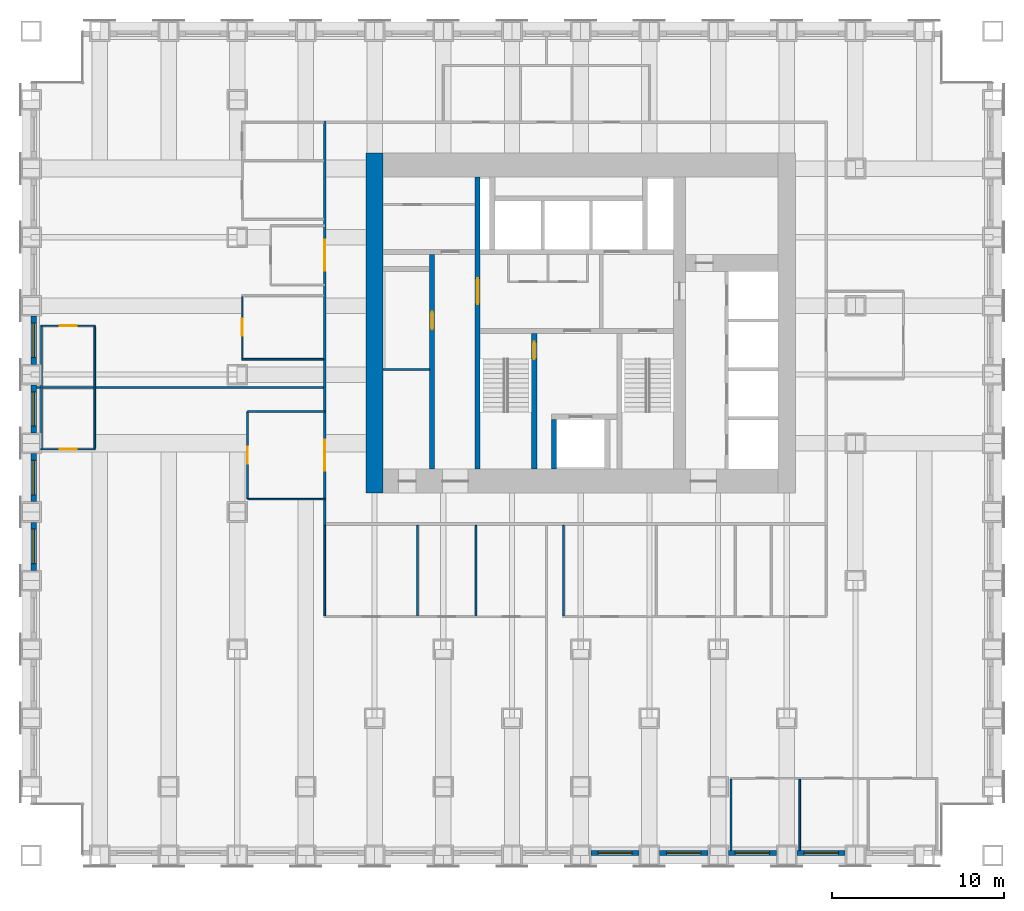
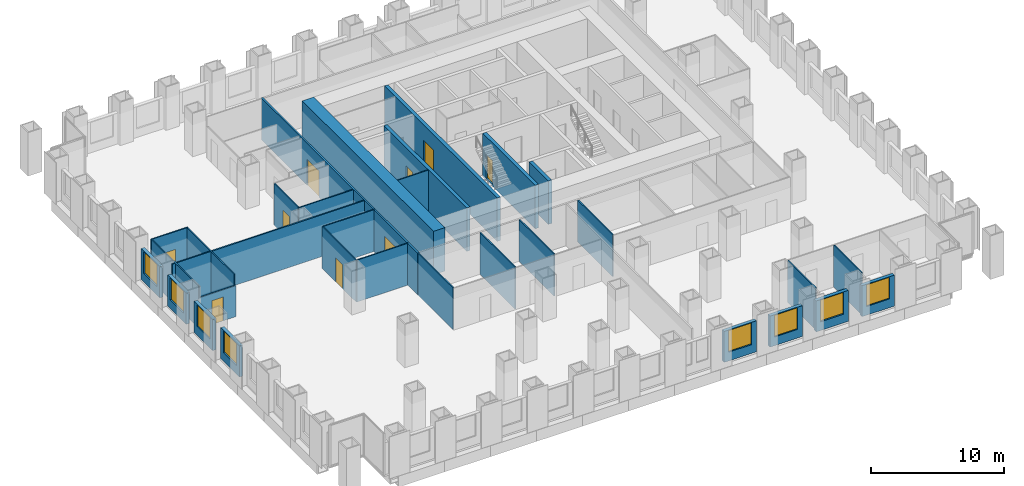
# One storey, part 9 of 15: 31 walls, 9 doors, 8 windows, 17 openings.
"""IFC4 building model written with IfcOpenShell, lengths in metres."""

from ifc_helpers import new_model, si_unit, direction, frame, frame_2d, origin, place, context, subcontext, project, spatial, rectangle, extrude, material, layer, layer_set, type_object, element, fill, save


model = new_model("IFC4")

# Units and contexts
model_context = context("Model", 3, precision=1e-05, world=origin(), true_north=direction((0.0, 1.0)))
body_context = subcontext(model_context, "Body", "Model", "MODEL_VIEW")
ifc_project = project(units=[si_unit("LENGTHUNIT", "METRE"), si_unit("AREAUNIT", "SQUARE_METRE"), si_unit("VOLUMEUNIT", "CUBIC_METRE"), si_unit("PLANEANGLEUNIT", "RADIAN"), si_unit("MASSUNIT", "GRAM", prefix="KILO")], contexts=[model_context])

# Site, building, storey
site_placement = place(None, origin())
site = spatial("IfcSite", under=ifc_project, at=site_placement, CompositionType="ELEMENT")
building_placement = place(site_placement, origin())
building = spatial("IfcBuilding", under=site, at=building_placement, Name="Rimbunsela Tower", CompositionType="ELEMENT")
storey_placement = place(building_placement, frame((0.0, 0.0, 35.0)))
storey = spatial("IfcBuildingStorey", under=building, at=storey_placement, Name="L08", CompositionType="ELEMENT", Elevation=35.0)

# Wall, opening, door
ifc_material_1 = material(Name="Concrete fc' 80 MPa", Category="concrete")
ifc_layer_1 = layer(ifc_material_1, 0.300048828125)
ifc_layer_set_1 = layer_set([ifc_layer_1], Name="Core internal wall 300")
wall_type_1 = type_object("IfcWallType", Name="Core internal wall 300", PredefinedType="SHEAR", material=ifc_layer_set_1)
wall_1_placement = place(storey_placement, frame((24.0, 18.5, -0.14990234375), z_axis=(0.0, 0.0, 1.0), x_axis=(0.0, 1.0, 0.0)))
wall_1 = element("IfcWall", 1, at=wall_1_placement, inside=storey, type_object=wall_type_1, Name="Core wall at stair A", PredefinedType="SHEAR", context=body_context, shape_type="SweptSolid", body=[
    extrude(rectangle(XDim=17.0, YDim=0.300048828125, at=frame_2d((8.5, 0.0))), origin(), (0.0, 0.0, 1.0), 4.0),
])
opening_1_placement = place(wall_1_placement, frame((9.60009765625, 0.0, 0.14990234375)))
opening_1 = element("IfcOpeningElement", 2, at=opening_1_placement, cuts=wall_1, Name="Opening D03", PredefinedType="OPENING", context=body_context, shape_type="SweptSolid", body=[
    extrude(rectangle(XDim=1.5, YDim=2.39990234375, at=frame_2d((0.75, 1.199951171875))), frame((0.0, 0.159912109375, 0.0), z_axis=(0.0, -1.0, 0.0), x_axis=(1.0, 0.0, 0.0)), (0.0, 0.0, 1.0), 0.320068359375),
])
ifc_material_2 = material(Name="Steel door, fire rated", Category="steel")
door_type_1 = type_object("IfcDoorType", Name="Core lobby door 1500", OperationType="DOUBLE_DOOR_DOUBLE_SWING", PredefinedType="DOOR", material=ifc_material_2)
door_1_placement = place(opening_1_placement, origin())
door_1 = element("IfcDoor", 3, at=door_1_placement, inside=storey, type_object=door_type_1, Name="West lobby door", OperationType="DOUBLE_DOOR_DOUBLE_SWING", OverallHeight=2.39990234375, OverallWidth=1.5, PredefinedType="DOOR", context=body_context, shape_type="SweptSolid", body=[
    extrude(rectangle(XDim=1.5, YDim=2.39990234375, at=frame_2d((0.75, 1.199951171875))), frame((0.0, 0.02490234375, 0.0), z_axis=(0.0, -1.0, 0.0), x_axis=(1.0, 0.0, 0.0)), (0.0, 0.0, 1.0), 0.050048828125),
])
fill(opening_1, door_1)

wall_2_placement = place(storey_placement, frame((27.300048828125, 18.5, -0.14990234375), z_axis=(0.0, 0.0, 1.0), x_axis=(0.0, 1.0, 0.0)))
wall_2 = element("IfcWall", 4, at=wall_2_placement, inside=storey, type_object=wall_type_1, Name="Stair A enclosure", PredefinedType="SHEAR", context=body_context, shape_type="SweptSolid", body=[
    extrude(rectangle(XDim=7.89990234375, YDim=0.300048828125, at=frame_2d((3.949951171875, 0.0))), origin(), (0.0, 0.0, 1.0), 4.0),
])
opening_2_placement = place(wall_2_placement, frame((6.39990234375, 0.0, 0.14990234375)))
opening_2 = element("IfcOpeningElement", 5, at=opening_2_placement, cuts=wall_2, Name="Opening D01", PredefinedType="OPENING", context=body_context, shape_type="SweptSolid", body=[
    extrude(rectangle(XDim=1.0, YDim=2.199951171875, at=frame_2d((0.5, 1.10009765625))), frame((0.0, 0.159912109375, 0.0), z_axis=(0.0, -1.0, 0.0), x_axis=(1.0, 0.0, 0.0)), (0.0, 0.0, 1.0), 0.320068359375),
])
ifc_material_3 = material(Name="Steel door, fire rated", Category="steel")
door_type_2 = type_object("IfcDoorType", Name="Stair door 1000", OperationType="SINGLE_SWING_RIGHT", PredefinedType="DOOR", material=ifc_material_3)
door_2_placement = place(opening_2_placement, origin())
door_2 = element("IfcDoor", 6, at=door_2_placement, inside=storey, type_object=door_type_2, Name="Stair A door", OperationType="SINGLE_SWING_RIGHT", OverallHeight=2.199951171875, OverallWidth=1.0, PredefinedType="DOOR", context=body_context, shape_type="SweptSolid", body=[
    extrude(rectangle(XDim=1.0, YDim=2.199951171875, at=frame_2d((0.5, 1.10009765625))), frame((0.0, 0.02490234375, 0.0), z_axis=(0.0, -1.0, 0.0), x_axis=(1.0, 0.0, 0.0)), (0.0, 0.0, 1.0), 0.050048828125),
])
fill(opening_2, door_2)

# Wall
wall_3_placement = place(storey_placement, frame((28.449951171875, 18.5, -0.14990234375), z_axis=(0.0, 0.0, 1.0), x_axis=(0.0, 1.0, 0.0)))
element("IfcWall", 7, at=wall_3_placement, inside=storey, type_object=wall_type_1, Name="Firefighting lift shaft west", PredefinedType="SHEAR", context=body_context, shape_type="SweptSolid", body=[
    extrude(rectangle(XDim=2.89990234375, YDim=0.300048828125, at=frame_2d((1.449951171875, 0.0))), origin(), (0.0, 0.0, 1.0), 4.0),
])

# Wall, opening, door
wall_4_placement = place(storey_placement, frame((21.35009765625, 18.5, -0.14990234375), z_axis=(0.0, 0.0, 1.0), x_axis=(0.0, 1.0, 0.0)))
wall_4 = element("IfcWall", 8, at=wall_4_placement, inside=storey, type_object=wall_type_1, Name="Lift shaft front west", PredefinedType="SHEAR", context=body_context, shape_type="SweptSolid", body=[
    extrude(rectangle(XDim=12.5, YDim=0.300048828125, at=frame_2d((6.25, 0.0))), origin(), (0.0, 0.0, 1.0), 4.0),
])
opening_3_placement = place(wall_4_placement, frame((8.14990234375, 0.0, 0.14990234375)))
opening_3 = element("IfcOpeningElement", 9, at=opening_3_placement, cuts=wall_4, Name="Opening D19", PredefinedType="OPENING", context=body_context, shape_type="SweptSolid", body=[
    extrude(rectangle(XDim=1.0, YDim=2.199951171875, at=frame_2d((0.5, 1.10009765625))), frame((0.0, 0.159912109375, 0.0), z_axis=(0.0, -1.0, 0.0), x_axis=(1.0, 0.0, 0.0)), (0.0, 0.0, 1.0), 0.320068359375),
])
ifc_material_4 = material(Name="Steel door, fire rated", Category="steel")
door_type_3 = type_object("IfcDoorType", Name="Service door 1000 fire rated", OperationType="SINGLE_SWING_LEFT", PredefinedType="DOOR", material=ifc_material_4)
door_3_placement = place(opening_3_placement, origin())
door_3 = element("IfcDoor", 10, at=door_3_placement, inside=storey, type_object=door_type_3, Name="IT room door", OperationType="SINGLE_SWING_LEFT", OverallHeight=2.199951171875, OverallWidth=1.0, PredefinedType="DOOR", context=body_context, shape_type="SweptSolid", body=[
    extrude(rectangle(XDim=1.0, YDim=2.199951171875, at=frame_2d((0.5, 1.10009765625))), frame((0.0, 0.02490234375, 0.0), z_axis=(0.0, -1.0, 0.0), x_axis=(1.0, 0.0, 0.0)), (0.0, 0.0, 1.0), 0.050048828125),
])
fill(opening_3, door_3)

# Walls
ifc_material_5 = material(Name="Concrete blockwork", Category="masonry")
ifc_layer_2 = layer(ifc_material_5, 0.10009765625)
ifc_layer_set_2 = layer_set([ifc_layer_2], Name="Core room partition 100")
wall_type_2 = type_object("IfcWallType", Name="Core room partition 100", PredefinedType="PARTITIONING", material=ifc_layer_set_2)
wall_5_placement = place(storey_placement, frame((18.5, 24.300048828125, 0.0), z_axis=(0.0, 0.0, 1.0), x_axis=(1.0, 0.0, 0.0)))
element("IfcWall", 11, at=wall_5_placement, inside=storey, type_object=wall_type_2, Name="IT room wall", PredefinedType="PARTITIONING", context=body_context, shape_type="SweptSolid", body=[
    extrude(rectangle(XDim=2.699951171875, YDim=0.10009765625, at=frame_2d((1.35009765625, 0.0))), origin(), (0.0, 0.0, 1.0), 3.85009765625),
])
ifc_material_6 = material(Name="Concrete fc' 80 MPa", Category="concrete")
ifc_layer_3 = layer(ifc_material_6, 1.0)
ifc_layer_set_3 = layer_set([ifc_layer_3], Name="Core wall 1000")
wall_type_3 = type_object("IfcWallType", Name="Core wall 1000", PredefinedType="SHEAR", material=ifc_layer_set_3)
wall_6_placement = place(storey_placement, frame((18.0, 17.10009765625, -0.14990234375), z_axis=(0.0, 0.0, 1.0), x_axis=(0.0, 1.0, 0.0)))
element("IfcWall", 12, at=wall_6_placement, inside=storey, type_object=wall_type_3, Name="Core wall west", PredefinedType="SHEAR", context=body_context, shape_type="SweptSolid", body=[
    extrude(rectangle(XDim=19.7998046875, YDim=1.0, at=frame_2d((9.89990234375, 0.0))), origin(), (0.0, 0.0, 1.0), 4.0),
])

# Wall, opening, door
ifc_material_7 = material(Name="Gypsum board on steel studs", Category="steel")
ifc_layer_4 = layer(ifc_material_7, 0.10009765625)
ifc_layer_set_4 = layer_set([ifc_layer_4], Name="Office partition 100")
wall_type_4 = type_object("IfcWallType", Name="Office partition 100", PredefinedType="PARTITIONING", material=ifc_layer_set_4)
wall_7_placement = place(storey_placement, frame((-1.449951171875, 19.64990234375, 0.0), z_axis=(0.0, 0.0, 1.0), x_axis=(1.0, 0.0, 0.0)))
wall_7 = element("IfcWall", 13, at=wall_7_placement, inside=storey, type_object=wall_type_4, Name="Office partition", PredefinedType="PARTITIONING", context=body_context, shape_type="SweptSolid", body=[
    extrude(rectangle(XDim=3.199951171875, YDim=0.10009765625, at=frame_2d((1.60009765625, 0.0))), origin(), (0.0, 0.0, 1.0), 2.85009765625),
])
opening_4_placement = place(wall_7_placement, frame((1.10009765625, 0.0, 0.0)))
opening_4 = element("IfcOpeningElement", 14, at=opening_4_placement, cuts=wall_7, Name="Opening D16", PredefinedType="OPENING", context=body_context, shape_type="SweptSolid", body=[
    extrude(rectangle(XDim=1.0, YDim=2.199951171875, at=frame_2d((0.5, 1.10009765625))), frame((0.0, 0.06005859375, 0.0), z_axis=(0.0, -1.0, 0.0), x_axis=(1.0, 0.0, 0.0)), (0.0, 0.0, 1.0), 0.1201171875),
])
ifc_material_8 = material(Name="Timber door", Category="wood")
door_type_4 = type_object("IfcDoorType", Name="Office door 1000", OperationType="SINGLE_SWING_LEFT", PredefinedType="DOOR", material=ifc_material_8)
door_4_placement = place(opening_4_placement, origin())
door_4 = element("IfcDoor", 15, at=door_4_placement, inside=storey, type_object=door_type_4, Name="Office door", OperationType="SINGLE_SWING_LEFT", OverallHeight=2.199951171875, OverallWidth=1.0, PredefinedType="DOOR", context=body_context, shape_type="SweptSolid", body=[
    extrude(rectangle(XDim=1.0, YDim=2.199951171875, at=frame_2d((0.5, 1.10009765625))), frame((0.0, 0.02490234375, 0.0), z_axis=(0.0, -1.0, 0.0), x_axis=(1.0, 0.0, 0.0)), (0.0, 0.0, 1.0), 0.050048828125),
])
fill(opening_4, door_4)

# Wall
wall_8_placement = place(storey_placement, frame((10.25, 24.89990234375, 0.0), z_axis=(0.0, 0.0, 1.0), x_axis=(1.0, 0.0, 0.0)))
element("IfcWall", 16, at=wall_8_placement, inside=storey, type_object=wall_type_4, Name="Office partition", PredefinedType="PARTITIONING", context=body_context, shape_type="SweptSolid", body=[
    extrude(rectangle(XDim=4.77490234375, YDim=0.10009765625, at=frame_2d((2.387451171875, 0.0))), origin(), (0.0, 0.0, 1.0), 3.85009765625),
])

# Wall, opening, door
wall_9_placement = place(storey_placement, frame((-1.449951171875, 26.85009765625, 0.0), z_axis=(0.0, 0.0, 1.0), x_axis=(1.0, 0.0, 0.0)))
wall_9 = element("IfcWall", 17, at=wall_9_placement, inside=storey, type_object=wall_type_4, Name="Office partition", PredefinedType="PARTITIONING", context=body_context, shape_type="SweptSolid", body=[
    extrude(rectangle(XDim=3.199951171875, YDim=0.10009765625, at=frame_2d((1.60009765625, 0.0))), origin(), (0.0, 0.0, 1.0), 3.85009765625),
])
opening_5_placement = place(wall_9_placement, frame((1.10009765625, 0.0, 0.0)))
opening_5 = element("IfcOpeningElement", 18, at=opening_5_placement, cuts=wall_9, Name="Opening D16", PredefinedType="OPENING", context=body_context, shape_type="SweptSolid", body=[
    extrude(rectangle(XDim=1.0, YDim=2.199951171875, at=frame_2d((0.5, 1.10009765625))), frame((0.0, 0.06005859375, 0.0), z_axis=(0.0, -1.0, 0.0), x_axis=(1.0, 0.0, 0.0)), (0.0, 0.0, 1.0), 0.1201171875),
])
door_5_placement = place(opening_5_placement, origin())
door_5 = element("IfcDoor", 19, at=door_5_placement, inside=storey, type_object=door_type_4, Name="Office door", OperationType="SINGLE_SWING_LEFT", OverallHeight=2.199951171875, OverallWidth=1.0, PredefinedType="DOOR", context=body_context, shape_type="SweptSolid", body=[
    extrude(rectangle(XDim=1.0, YDim=2.199951171875, at=frame_2d((0.5, 1.10009765625))), frame((0.0, 0.02490234375, 0.0), z_axis=(0.0, -1.0, 0.0), x_axis=(1.0, 0.0, 0.0)), (0.0, 0.0, 1.0), 0.050048828125),
])
fill(opening_5, door_5)

# Walls
for number, where, z_axis, x_axis, name in (
    (20, (-1.39990234375, 19.699951171875, 0.0), (0.0, 0.0, 1.0), (0.0, 1.0, 0.0), "Office partition"),
    (21, (1.699951171875, 19.699951171875, 0.0), (0.0, 0.0, 1.0), (0.0, 1.0, 0.0), "Office partition"),
):
    element("IfcWall", number, at=place(storey_placement, frame(where, z_axis=z_axis, x_axis=x_axis)), inside=storey, type_object=wall_type_4, Name=name, PredefinedType="PARTITIONING", context=body_context, shape_type="SweptSolid", body=[
        extrude(rectangle(XDim=7.10009765625, YDim=0.10009765625, at=frame_2d((3.550048828125, 0.0))), origin(), (0.0, 0.0, 1.0), 3.85009765625),
    ])

# Wall, opening, door
wall_10_placement = place(storey_placement, frame((10.300048828125, 24.949951171875, 0.0), z_axis=(0.0, 0.0, 1.0), x_axis=(0.0, 1.0, 0.0)))
wall_10 = element("IfcWall", 22, at=wall_10_placement, inside=storey, type_object=wall_type_4, Name="Office partition", PredefinedType="PARTITIONING", context=body_context, shape_type="SweptSolid", body=[
    extrude(rectangle(XDim=3.60009765625, YDim=0.10009765625, at=frame_2d((1.800048828125, 0.0))), origin(), (0.0, 0.0, 1.0), 3.85009765625),
])
opening_6_placement = place(wall_10_placement, frame((1.300048828125, 0.0, 0.0)))
opening_6 = element("IfcOpeningElement", 23, at=opening_6_placement, cuts=wall_10, Name="Opening D17", PredefinedType="OPENING", context=body_context, shape_type="SweptSolid", body=[
    extrude(rectangle(XDim=1.0, YDim=2.199951171875, at=frame_2d((0.5, 1.10009765625))), frame((0.0, 0.06005859375, 0.0), z_axis=(0.0, -1.0, 0.0), x_axis=(1.0, 0.0, 0.0)), (0.0, 0.0, 1.0), 0.1201171875),
])
ifc_material_9 = material(Name="Glazed aluminium door", Category="aluminium")
door_type_5 = type_object("IfcDoorType", Name="Meeting room door 1000 glazed", OperationType="SINGLE_SWING_RIGHT", PredefinedType="DOOR", material=ifc_material_9)
door_6_placement = place(opening_6_placement, origin())
door_6 = element("IfcDoor", 24, at=door_6_placement, inside=storey, type_object=door_type_5, Name="Meeting room door", OperationType="SINGLE_SWING_RIGHT", OverallHeight=2.199951171875, OverallWidth=1.0, PredefinedType="DOOR", context=body_context, shape_type="SweptSolid", body=[
    extrude(rectangle(XDim=1.0, YDim=2.199951171875, at=frame_2d((0.5, 1.10009765625))), frame((0.0, 0.02490234375, 0.0), z_axis=(0.0, -1.0, 0.0), x_axis=(1.0, 0.0, 0.0)), (0.0, 0.0, 1.0), 0.050048828125),
])
fill(opening_6, door_6)

# Walls
for number, where, z_axis, x_axis, name in (
    (25, (15.10009765625, 9.949951171875, 0.0), (0.0, 0.0, 1.0), (0.0, 1.0, 0.0), "Office partition"),
    (26, (20.5, 9.949951171875, 0.0), (0.0, 0.0, 1.0), (0.0, 1.0, 0.0), "Office partition"),
    (27, (23.89990234375, 9.949951171875, 0.0), (0.0, 0.0, 1.0), (0.0, 1.0, 0.0), "Office partition"),
    (28, (28.9990234375, 9.949951171875, 0.0), (0.0, 0.0, 1.0), (0.0, 1.0, 0.0), "Office partition"),
):
    element("IfcWall", number, at=place(storey_placement, frame(where, z_axis=z_axis, x_axis=x_axis)), inside=storey, type_object=wall_type_4, Name=name, PredefinedType="PARTITIONING", context=body_context, shape_type="SweptSolid", body=[
        extrude(rectangle(XDim=5.275146484375, YDim=0.10009765625, at=frame_2d((2.6376953125, 0.0))), origin(), (0.0, 0.0, 1.0), 3.85009765625),
    ])
for number, where, z_axis, x_axis, name in (
    (29, (38.75, -3.699951171875, 0.0), (0.0, 0.0, 1.0), (0.0, 1.0, 0.0), "Office partition"),
    (30, (42.75, -3.699951171875, 0.0), (0.0, 0.0, 1.0), (0.0, 1.0, 0.0), "Office partition"),
):
    element("IfcWall", number, at=place(storey_placement, frame(where, z_axis=z_axis, x_axis=x_axis)), inside=storey, type_object=wall_type_4, Name=name, PredefinedType="PARTITIONING", context=body_context, shape_type="SweptSolid", body=[
        extrude(rectangle(XDim=4.14990234375, YDim=0.10009765625, at=frame_2d((2.074951171875, 0.0))), origin(), (0.0, 0.0, 1.0), 3.85009765625),
    ])
wall_11_placement = place(storey_placement, frame((15.10009765625, 21.85009765625, 0.0), z_axis=(0.0, 0.0, 1.0), x_axis=(-1.0, 0.0, 0.0)))
element("IfcWall", 31, at=wall_11_placement, inside=storey, type_object=wall_type_4, Name="Office partition", PredefinedType="PARTITIONING", context=body_context, shape_type="SweptSolid", body=[
    extrude(rectangle(XDim=4.5, YDim=0.10009765625, at=frame_2d((2.25, 0.0))), origin(), (0.0, 0.0, 1.0), 3.85009765625),
])

# Wall, opening, door
wall_12_placement = place(storey_placement, frame((10.60009765625, 21.85009765625, 0.0), z_axis=(0.0, 0.0, 1.0), x_axis=(0.0, -1.0, 0.0)))
wall_12 = element("IfcWall", 32, at=wall_12_placement, inside=storey, type_object=wall_type_4, Name="Office partition", PredefinedType="PARTITIONING", context=body_context, shape_type="SweptSolid", body=[
    extrude(rectangle(XDim=5.10009765625, YDim=0.10009765625, at=frame_2d((2.550048828125, 0.0))), origin(), (0.0, 0.0, 1.0), 3.85009765625),
])
opening_7_placement = place(wall_12_placement, frame((2.050048828125, 0.0, 0.0)))
opening_7 = element("IfcOpeningElement", 33, at=opening_7_placement, cuts=wall_12, Name="Opening D17", PredefinedType="OPENING", context=body_context, shape_type="SweptSolid", body=[
    extrude(rectangle(XDim=1.0, YDim=2.199951171875, at=frame_2d((0.5, 1.10009765625))), frame((0.0, 0.06005859375, 0.0), z_axis=(0.0, -1.0, 0.0), x_axis=(1.0, 0.0, 0.0)), (0.0, 0.0, 1.0), 0.1201171875),
])
door_7_placement = place(opening_7_placement, origin())
door_7 = element("IfcDoor", 34, at=door_7_placement, inside=storey, type_object=door_type_5, Name="Reception door", OperationType="SINGLE_SWING_RIGHT", OverallHeight=2.199951171875, OverallWidth=1.0, PredefinedType="DOOR", context=body_context, shape_type="SweptSolid", body=[
    extrude(rectangle(XDim=1.0, YDim=2.199951171875, at=frame_2d((0.5, 1.10009765625))), frame((0.0, 0.02490234375, 0.0), z_axis=(0.0, -1.0, 0.0), x_axis=(1.0, 0.0, 0.0)), (0.0, 0.0, 1.0), 0.050048828125),
])
fill(opening_7, door_7)

# Wall
wall_13_placement = place(storey_placement, frame((10.60009765625, 16.75, 0.0), z_axis=(0.0, 0.0, 1.0), x_axis=(1.0, 0.0, 0.0)))
element("IfcWall", 35, at=wall_13_placement, inside=storey, type_object=wall_type_4, Name="Office partition", PredefinedType="PARTITIONING", context=body_context, shape_type="SweptSolid", body=[
    extrude(rectangle(XDim=4.5, YDim=0.10009765625, at=frame_2d((2.25, 0.0))), origin(), (0.0, 0.0, 1.0), 3.85009765625),
])

# Wall, opening, window
ifc_material_10 = material(Name="Precast concrete fc' 35 MPa", Category="concrete")
ifc_layer_5 = layer(ifc_material_10, 0.300048828125)
ifc_layer_set_5 = layer_set([ifc_layer_5], Name="Precast concrete fc' 35 MPa")
wall_type_5 = type_object("IfcWallType", Name="Precast facade panel 300", PredefinedType="ELEMENTEDWALL", material=ifc_layer_set_5)
wall_14_placement = place(storey_placement, frame((30.60009765625, -3.85009765625, 0.0), z_axis=(0.0, 0.0, 1.0), x_axis=(1.0, 0.0, 0.0)))
wall_14 = element("IfcWall", 36, at=wall_14_placement, inside=storey, type_object=wall_type_5, Name="Facade panel S L08", PredefinedType="ELEMENTEDWALL", context=body_context, shape_type="SweptSolid", body=[
    extrude(rectangle(XDim=2.7998046875, YDim=0.300048828125, at=frame_2d((1.39990234375, 0.0))), origin(), (0.0, 0.0, 1.0), 2.85009765625),
])
opening_8_placement = place(wall_14_placement, frame((0.39990234375, 0.0, 0.800048828125)))
opening_8 = element("IfcOpeningElement", 37, at=opening_8_placement, cuts=wall_14, Name="Opening W1", PredefinedType="OPENING", context=body_context, shape_type="SweptSolid", body=[
    extrude(rectangle(XDim=2.0, YDim=2.0, at=frame_2d((1.0, 1.0))), frame((0.0, 0.159912109375, 0.0), z_axis=(0.0, -1.0, 0.0), x_axis=(1.0, 0.0, 0.0)), (0.0, 0.0, 1.0), 0.320068359375),
])
ifc_material_11 = material(Name="Clear glass in aluminium frame", Category="aluminium")
window_type = type_object("IfcWindowType", Name="Window W1 2000x2000", PartitioningType="DOUBLE_PANEL_VERTICAL", PredefinedType="WINDOW", material=ifc_material_11)
window_1_placement = place(opening_8_placement, origin())
window_1 = element("IfcWindow", 38, at=window_1_placement, inside=storey, type_object=window_type, Name="Window L08", OverallHeight=2.0, OverallWidth=2.0, PartitioningType="SINGLE_PANEL", PredefinedType="WINDOW", context=body_context, shape_type="SweptSolid", body=[
    extrude(rectangle(XDim=2.0, YDim=2.0, at=frame_2d((1.0, 1.0))), frame((0.0, 0.030029296875, 0.0), z_axis=(0.0, -1.0, 0.0), x_axis=(1.0, 0.0, 0.0)), (0.0, 0.0, 1.0), 0.06005859375),
])
fill(opening_8, window_1)

wall_15_placement = place(storey_placement, frame((34.60009765625, -3.85009765625, 0.0), z_axis=(0.0, 0.0, 1.0), x_axis=(1.0, 0.0, 0.0)))
wall_15 = element("IfcWall", 39, at=wall_15_placement, inside=storey, type_object=wall_type_5, Name="Facade panel S L08", PredefinedType="ELEMENTEDWALL", context=body_context, shape_type="SweptSolid", body=[
    extrude(rectangle(XDim=2.7998046875, YDim=0.300048828125, at=frame_2d((1.39990234375, 0.0))), origin(), (0.0, 0.0, 1.0), 2.85009765625),
])
opening_9_placement = place(wall_15_placement, frame((0.39990234375, 0.0, 0.800048828125)))
opening_9 = element("IfcOpeningElement", 40, at=opening_9_placement, cuts=wall_15, Name="Opening W1", PredefinedType="OPENING", context=body_context, shape_type="SweptSolid", body=[
    extrude(rectangle(XDim=2.0, YDim=2.0, at=frame_2d((1.0, 1.0))), frame((0.0, 0.159912109375, 0.0), z_axis=(0.0, -1.0, 0.0), x_axis=(1.0, 0.0, 0.0)), (0.0, 0.0, 1.0), 0.320068359375),
])
window_2_placement = place(opening_9_placement, origin())
window_2 = element("IfcWindow", 41, at=window_2_placement, inside=storey, type_object=window_type, Name="Window L08", OverallHeight=2.0, OverallWidth=2.0, PartitioningType="SINGLE_PANEL", PredefinedType="WINDOW", context=body_context, shape_type="SweptSolid", body=[
    extrude(rectangle(XDim=2.0, YDim=2.0, at=frame_2d((1.0, 1.0))), frame((0.0, 0.030029296875, 0.0), z_axis=(0.0, -1.0, 0.0), x_axis=(1.0, 0.0, 0.0)), (0.0, 0.0, 1.0), 0.06005859375),
])
fill(opening_9, window_2)

wall_16_placement = place(storey_placement, frame((38.60009765625, -3.85009765625, 0.0), z_axis=(0.0, 0.0, 1.0), x_axis=(1.0, 0.0, 0.0)))
wall_16 = element("IfcWall", 42, at=wall_16_placement, inside=storey, type_object=wall_type_5, Name="Facade panel S L08", PredefinedType="ELEMENTEDWALL", context=body_context, shape_type="SweptSolid", body=[
    extrude(rectangle(XDim=2.7998046875, YDim=0.300048828125, at=frame_2d((1.39990234375, 0.0))), origin(), (0.0, 0.0, 1.0), 2.85009765625),
])
opening_10_placement = place(wall_16_placement, frame((0.39990234375, 0.0, 0.800048828125)))
opening_10 = element("IfcOpeningElement", 43, at=opening_10_placement, cuts=wall_16, Name="Opening W1", PredefinedType="OPENING", context=body_context, shape_type="SweptSolid", body=[
    extrude(rectangle(XDim=2.0, YDim=2.0, at=frame_2d((1.0, 1.0))), frame((0.0, 0.159912109375, 0.0), z_axis=(0.0, -1.0, 0.0), x_axis=(1.0, 0.0, 0.0)), (0.0, 0.0, 1.0), 0.320068359375),
])
window_3_placement = place(opening_10_placement, origin())
window_3 = element("IfcWindow", 44, at=window_3_placement, inside=storey, type_object=window_type, Name="Window L08", OverallHeight=2.0, OverallWidth=2.0, PartitioningType="SINGLE_PANEL", PredefinedType="WINDOW", context=body_context, shape_type="SweptSolid", body=[
    extrude(rectangle(XDim=2.0, YDim=2.0, at=frame_2d((1.0, 1.0))), frame((0.0, 0.030029296875, 0.0), z_axis=(0.0, -1.0, 0.0), x_axis=(1.0, 0.0, 0.0)), (0.0, 0.0, 1.0), 0.06005859375),
])
fill(opening_10, window_3)

wall_17_placement = place(storey_placement, frame((42.60009765625, -3.85009765625, 0.0), z_axis=(0.0, 0.0, 1.0), x_axis=(1.0, 0.0, 0.0)))
wall_17 = element("IfcWall", 45, at=wall_17_placement, inside=storey, type_object=wall_type_5, Name="Facade panel S L08", PredefinedType="ELEMENTEDWALL", context=body_context, shape_type="SweptSolid", body=[
    extrude(rectangle(XDim=2.7998046875, YDim=0.300048828125, at=frame_2d((1.39990234375, 0.0))), origin(), (0.0, 0.0, 1.0), 2.85009765625),
])
opening_11_placement = place(wall_17_placement, frame((0.39990234375, 0.0, 0.800048828125)))
opening_11 = element("IfcOpeningElement", 46, at=opening_11_placement, cuts=wall_17, Name="Opening W1", PredefinedType="OPENING", context=body_context, shape_type="SweptSolid", body=[
    extrude(rectangle(XDim=2.0, YDim=2.0, at=frame_2d((1.0, 1.0))), frame((0.0, 0.159912109375, 0.0), z_axis=(0.0, -1.0, 0.0), x_axis=(1.0, 0.0, 0.0)), (0.0, 0.0, 1.0), 0.320068359375),
])
window_4_placement = place(opening_11_placement, origin())
window_4 = element("IfcWindow", 47, at=window_4_placement, inside=storey, type_object=window_type, Name="Window L08", OverallHeight=2.0, OverallWidth=2.0, PartitioningType="SINGLE_PANEL", PredefinedType="WINDOW", context=body_context, shape_type="SweptSolid", body=[
    extrude(rectangle(XDim=2.0, YDim=2.0, at=frame_2d((1.0, 1.0))), frame((0.0, 0.030029296875, 0.0), z_axis=(0.0, -1.0, 0.0), x_axis=(1.0, 0.0, 0.0)), (0.0, 0.0, 1.0), 0.06005859375),
])
fill(opening_11, window_4)

wall_18_placement = place(storey_placement, frame((-1.85009765625, 15.39990234375, 0.0), z_axis=(0.0, 0.0, 1.0), x_axis=(0.0, -1.0, 0.0)))
wall_18 = element("IfcWall", 48, at=wall_18_placement, inside=storey, type_object=wall_type_5, Name="Facade panel W L08", PredefinedType="ELEMENTEDWALL", context=body_context, shape_type="SweptSolid", body=[
    extrude(rectangle(XDim=2.7998046875, YDim=0.300048828125, at=frame_2d((1.39990234375, 0.0))), origin(), (0.0, 0.0, 1.0), 2.85009765625),
])
opening_12_placement = place(wall_18_placement, frame((0.39990234375, 0.0, 0.800048828125)))
opening_12 = element("IfcOpeningElement", 49, at=opening_12_placement, cuts=wall_18, Name="Opening W1", PredefinedType="OPENING", context=body_context, shape_type="SweptSolid", body=[
    extrude(rectangle(XDim=2.0, YDim=2.0, at=frame_2d((1.0, 1.0))), frame((0.0, 0.159912109375, 0.0), z_axis=(0.0, -1.0, 0.0), x_axis=(1.0, 0.0, 0.0)), (0.0, 0.0, 1.0), 0.320068359375),
])
window_5_placement = place(opening_12_placement, origin())
window_5 = element("IfcWindow", 50, at=window_5_placement, inside=storey, type_object=window_type, Name="Window L08", OverallHeight=2.0, OverallWidth=2.0, PartitioningType="SINGLE_PANEL", PredefinedType="WINDOW", context=body_context, shape_type="SweptSolid", body=[
    extrude(rectangle(XDim=2.0, YDim=2.0, at=frame_2d((1.0, 1.0))), frame((0.0, 0.030029296875, 0.0), z_axis=(0.0, -1.0, 0.0), x_axis=(1.0, 0.0, 0.0)), (0.0, 0.0, 1.0), 0.06005859375),
])
fill(opening_12, window_5)

wall_19_placement = place(storey_placement, frame((-1.85009765625, 19.39990234375, 0.0), z_axis=(0.0, 0.0, 1.0), x_axis=(0.0, -1.0, 0.0)))
wall_19 = element("IfcWall", 51, at=wall_19_placement, inside=storey, type_object=wall_type_5, Name="Facade panel W L08", PredefinedType="ELEMENTEDWALL", context=body_context, shape_type="SweptSolid", body=[
    extrude(rectangle(XDim=2.7998046875, YDim=0.300048828125, at=frame_2d((1.39990234375, 0.0))), origin(), (0.0, 0.0, 1.0), 2.85009765625),
])
opening_13_placement = place(wall_19_placement, frame((0.39990234375, 0.0, 0.800048828125)))
opening_13 = element("IfcOpeningElement", 52, at=opening_13_placement, cuts=wall_19, Name="Opening W1", PredefinedType="OPENING", context=body_context, shape_type="SweptSolid", body=[
    extrude(rectangle(XDim=2.0, YDim=2.0, at=frame_2d((1.0, 1.0))), frame((0.0, 0.159912109375, 0.0), z_axis=(0.0, -1.0, 0.0), x_axis=(1.0, 0.0, 0.0)), (0.0, 0.0, 1.0), 0.320068359375),
])
window_6_placement = place(opening_13_placement, origin())
window_6 = element("IfcWindow", 53, at=window_6_placement, inside=storey, type_object=window_type, Name="Window L08", OverallHeight=2.0, OverallWidth=2.0, PartitioningType="SINGLE_PANEL", PredefinedType="WINDOW", context=body_context, shape_type="SweptSolid", body=[
    extrude(rectangle(XDim=2.0, YDim=2.0, at=frame_2d((1.0, 1.0))), frame((0.0, 0.030029296875, 0.0), z_axis=(0.0, -1.0, 0.0), x_axis=(1.0, 0.0, 0.0)), (0.0, 0.0, 1.0), 0.06005859375),
])
fill(opening_13, window_6)

wall_20_placement = place(storey_placement, frame((-1.85009765625, 23.39990234375, 0.0), z_axis=(0.0, 0.0, 1.0), x_axis=(0.0, -1.0, 0.0)))
wall_20 = element("IfcWall", 54, at=wall_20_placement, inside=storey, type_object=wall_type_5, Name="Facade panel W L08", PredefinedType="ELEMENTEDWALL", context=body_context, shape_type="SweptSolid", body=[
    extrude(rectangle(XDim=2.7998046875, YDim=0.300048828125, at=frame_2d((1.39990234375, 0.0))), origin(), (0.0, 0.0, 1.0), 2.85009765625),
])
opening_14_placement = place(wall_20_placement, frame((0.39990234375, 0.0, 0.800048828125)))
opening_14 = element("IfcOpeningElement", 55, at=opening_14_placement, cuts=wall_20, Name="Opening W1", PredefinedType="OPENING", context=body_context, shape_type="SweptSolid", body=[
    extrude(rectangle(XDim=2.0, YDim=2.0, at=frame_2d((1.0, 1.0))), frame((0.0, 0.159912109375, 0.0), z_axis=(0.0, -1.0, 0.0), x_axis=(1.0, 0.0, 0.0)), (0.0, 0.0, 1.0), 0.320068359375),
])
window_7_placement = place(opening_14_placement, origin())
window_7 = element("IfcWindow", 56, at=window_7_placement, inside=storey, type_object=window_type, Name="Window L08", OverallHeight=2.0, OverallWidth=2.0, PartitioningType="SINGLE_PANEL", PredefinedType="WINDOW", context=body_context, shape_type="SweptSolid", body=[
    extrude(rectangle(XDim=2.0, YDim=2.0, at=frame_2d((1.0, 1.0))), frame((0.0, 0.030029296875, 0.0), z_axis=(0.0, -1.0, 0.0), x_axis=(1.0, 0.0, 0.0)), (0.0, 0.0, 1.0), 0.06005859375),
])
fill(opening_14, window_7)

wall_21_placement = place(storey_placement, frame((-1.85009765625, 27.39990234375, 0.0), z_axis=(0.0, 0.0, 1.0), x_axis=(0.0, -1.0, 0.0)))
wall_21 = element("IfcWall", 57, at=wall_21_placement, inside=storey, type_object=wall_type_5, Name="Facade panel W L08", PredefinedType="ELEMENTEDWALL", context=body_context, shape_type="SweptSolid", body=[
    extrude(rectangle(XDim=2.7998046875, YDim=0.300048828125, at=frame_2d((1.39990234375, 0.0))), origin(), (0.0, 0.0, 1.0), 2.85009765625),
])
opening_15_placement = place(wall_21_placement, frame((0.39990234375, 0.0, 0.800048828125)))
opening_15 = element("IfcOpeningElement", 58, at=opening_15_placement, cuts=wall_21, Name="Opening W1", PredefinedType="OPENING", context=body_context, shape_type="SweptSolid", body=[
    extrude(rectangle(XDim=2.0, YDim=2.0, at=frame_2d((1.0, 1.0))), frame((0.0, 0.159912109375, 0.0), z_axis=(0.0, -1.0, 0.0), x_axis=(1.0, 0.0, 0.0)), (0.0, 0.0, 1.0), 0.320068359375),
])
window_8_placement = place(opening_15_placement, origin())
window_8 = element("IfcWindow", 59, at=window_8_placement, inside=storey, type_object=window_type, Name="Window L08", OverallHeight=2.0, OverallWidth=2.0, PartitioningType="SINGLE_PANEL", PredefinedType="WINDOW", context=body_context, shape_type="SweptSolid", body=[
    extrude(rectangle(XDim=2.0, YDim=2.0, at=frame_2d((1.0, 1.0))), frame((0.0, 0.030029296875, 0.0), z_axis=(0.0, -1.0, 0.0), x_axis=(1.0, 0.0, 0.0)), (0.0, 0.0, 1.0), 0.06005859375),
])
fill(opening_15, window_8)

# Wall, openings, doors
ifc_material_12 = material(Name="Fire-rated gypsum board on steel studs, EI 60", Category="steel")
ifc_layer_6 = layer(ifc_material_12, 0.14990234375)
ifc_layer_set_6 = layer_set([ifc_layer_6], Name="Rated corridor wall 150")
wall_type_6 = type_object("IfcWallType", Name="Rated corridor wall 150", PredefinedType="PARTITIONING", material=ifc_layer_set_6)
wall_22_placement = place(storey_placement, frame((15.10009765625, 15.22509765625, 0.0), z_axis=(0.0, 0.0, 1.0), x_axis=(0.0, 1.0, 0.0)))
wall_22 = element("IfcWall", 60, at=wall_22_placement, inside=storey, type_object=wall_type_6, Name="Corridor wall west", PredefinedType="PARTITIONING", context=body_context, shape_type="SweptSolid", body=[
    extrude(rectangle(XDim=23.5498046875, YDim=0.14990234375, at=frame_2d((11.77490234375, 0.0))), origin(), (0.0, 0.0, 1.0), 3.85009765625),
])
opening_16_placement = place(wall_22_placement, frame((3.175048828125, 0.0, 0.0)))
opening_16 = element("IfcOpeningElement", 61, at=opening_16_placement, cuts=wall_22, Name="Opening D09", PredefinedType="OPENING", context=body_context, shape_type="SweptSolid", body=[
    extrude(rectangle(XDim=1.800048828125, YDim=2.39990234375, at=frame_2d((0.89990234375, 1.199951171875))), frame((0.0, 0.0849609375, 0.0), z_axis=(0.0, -1.0, 0.0), x_axis=(1.0, 0.0, 0.0)), (0.0, 0.0, 1.0), 0.169921875),
])
opening_17_placement = place(wall_22_placement, frame((14.824951171875, 0.0, 0.0)))
opening_17 = element("IfcOpeningElement", 62, at=opening_17_placement, cuts=wall_22, Name="Opening D09", PredefinedType="OPENING", context=body_context, shape_type="SweptSolid", body=[
    extrude(rectangle(XDim=1.800048828125, YDim=2.39990234375, at=frame_2d((0.89990234375, 1.199951171875))), frame((0.0, 0.0849609375, 0.0), z_axis=(0.0, -1.0, 0.0), x_axis=(1.0, 0.0, 0.0)), (0.0, 0.0, 1.0), 0.169921875),
])
ifc_material_13 = material(Name="Glazed aluminium door, fire rated", Category="aluminium")
door_type_6 = type_object("IfcDoorType", Name="Tenancy door 1800 glazed", OperationType="DOUBLE_DOOR_DOUBLE_SWING", PredefinedType="DOOR", material=ifc_material_13)
door_8_placement = place(opening_16_placement, origin())
door_8 = element("IfcDoor", 63, at=door_8_placement, inside=storey, type_object=door_type_6, Name="Tenancy door", OperationType="DOUBLE_DOOR_DOUBLE_SWING", OverallHeight=2.39990234375, OverallWidth=1.800048828125, PredefinedType="DOOR", context=body_context, shape_type="SweptSolid", body=[
    extrude(rectangle(XDim=1.800048828125, YDim=2.39990234375, at=frame_2d((0.89990234375, 1.199951171875))), frame((0.0, 0.02490234375, 0.0), z_axis=(0.0, -1.0, 0.0), x_axis=(1.0, 0.0, 0.0)), (0.0, 0.0, 1.0), 0.050048828125),
])
fill(opening_16, door_8)
door_9_placement = place(opening_17_placement, origin())
door_9 = element("IfcDoor", 64, at=door_9_placement, inside=storey, type_object=door_type_6, Name="Tenancy door", OperationType="DOUBLE_DOOR_DOUBLE_SWING", OverallHeight=2.39990234375, OverallWidth=1.800048828125, PredefinedType="DOOR", context=body_context, shape_type="SweptSolid", body=[
    extrude(rectangle(XDim=1.800048828125, YDim=2.39990234375, at=frame_2d((0.89990234375, 1.199951171875))), frame((0.0, 0.02490234375, 0.0), z_axis=(0.0, -1.0, 0.0), x_axis=(1.0, 0.0, 0.0)), (0.0, 0.0, 1.0), 0.050048828125),
])
fill(opening_17, door_9)

# Wall
ifc_material_14 = material(Name="Gypsum board on steel studs", Category="steel")
ifc_layer_7 = layer(ifc_material_14, 0.1201171875)
ifc_layer_set_7 = layer_set([ifc_layer_7], Name="Tenancy partition 120")
wall_type_7 = type_object("IfcWallType", Name="Tenancy partition 120", PredefinedType="PARTITIONING", material=ifc_layer_set_7)
wall_23_placement = place(storey_placement, frame((-1.699951171875, 23.25, 0.0), z_axis=(0.0, 0.0, 1.0), x_axis=(1.0, 0.0, 0.0)))
element("IfcWall", 65, at=wall_23_placement, inside=storey, type_object=wall_type_7, Name="Tenancy partition", PredefinedType="PARTITIONING", context=body_context, shape_type="SweptSolid", body=[
    extrude(rectangle(XDim=16.724853515625, YDim=0.1201171875, at=frame_2d((8.3623046875, 0.0))), origin(), (0.0, 0.0, 1.0), 3.85009765625),
])

save(model, "model.ifc")
